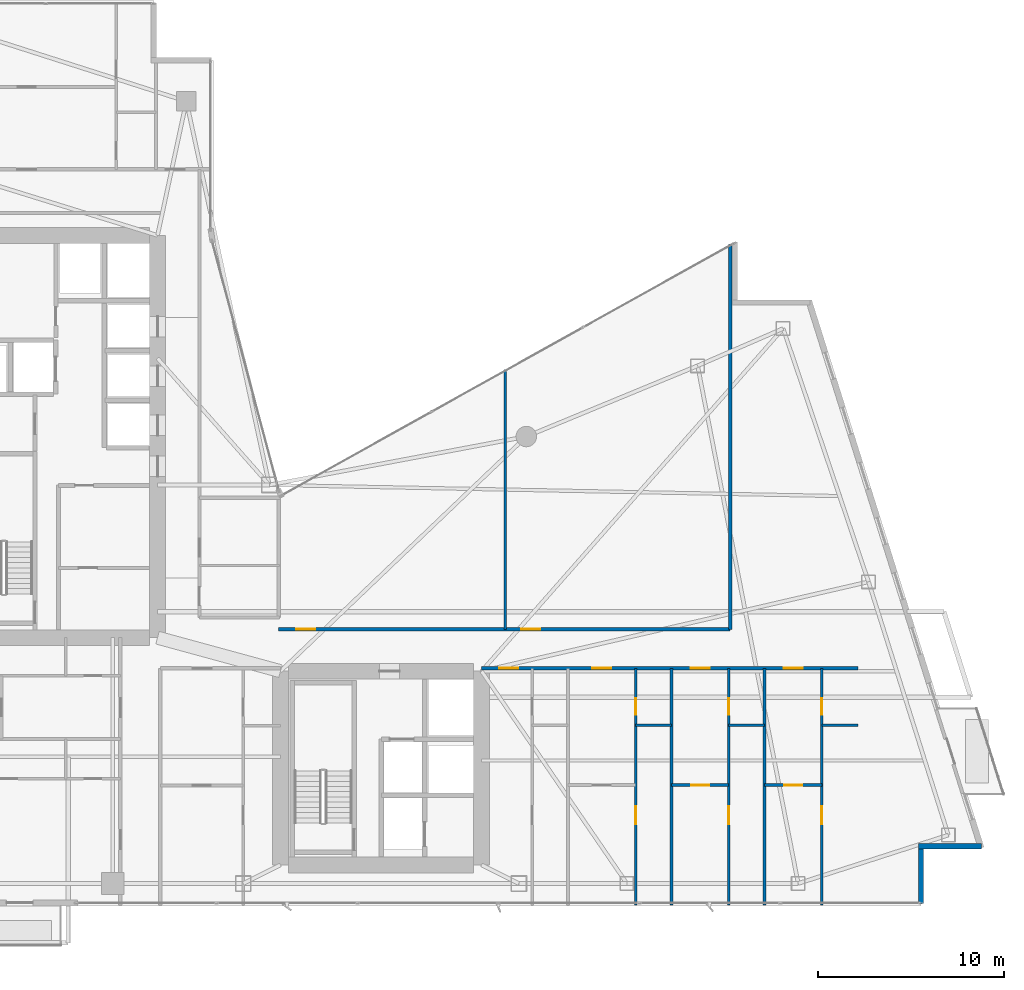
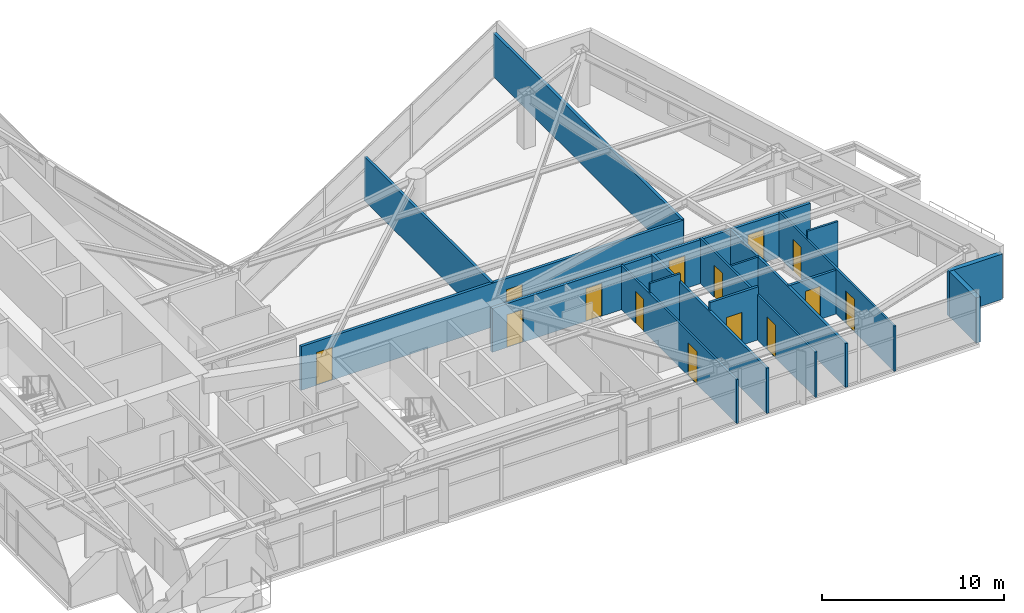
# One storey, part 24 of 29: 16 walls, 14 doors, 14 openings.
"""IFC4 building model written with IfcOpenShell, lengths in metres."""

from ifc_helpers import new_model, si_unit, direction, frame, frame_2d, origin, place, context, subcontext, project, spatial, rectangle, extrude, material, layer, layer_set, type_object, element, fill, save


model = new_model("IFC4")

# Units and contexts
model_context = context("Model", 3, precision=1e-05, world=origin(), true_north=direction((0.0, 1.0)))
body_context = subcontext(model_context, "Body", "Model", "MODEL_VIEW")
ifc_project = project(units=[si_unit("LENGTHUNIT", "METRE"), si_unit("AREAUNIT", "SQUARE_METRE"), si_unit("VOLUMEUNIT", "CUBIC_METRE"), si_unit("PLANEANGLEUNIT", "RADIAN"), si_unit("MASSUNIT", "GRAM", prefix="KILO")], contexts=[model_context])

# Site, building, storey
site_placement = place(None, origin())
site = spatial("IfcSite", under=ifc_project, at=site_placement, CompositionType="ELEMENT")
building_placement = place(site_placement, origin())
building = spatial("IfcBuilding", under=site, at=building_placement, Name="Calvorn Quay Hotel", CompositionType="ELEMENT")
storey_placement = place(building_placement, frame((0.0, 0.0, 171.300048828125)))
storey = spatial("IfcBuildingStorey", under=building, at=storey_placement, Name="L42", CompositionType="ELEMENT", Elevation=171.300048828125)

# Wall, openings, doors
ifc_material_1 = material(Name="Acoustic Fireboard Steel-Stud Partition", Category="steel")
ifc_layer_1 = layer(ifc_material_1, 0.179931640625)
ifc_layer_set_1 = layer_set([ifc_layer_1], Name="WL-CORR-FIRE-180")
wall_type_1 = type_object("IfcWallType", Name="WL-CORR-FIRE-180", PredefinedType="PARTITIONING", material=ifc_layer_set_1)
wall_1_placement = place(storey_placement, frame((32.39990234375, 15.14990234375, 0.0), z_axis=(0.0, 0.0, 1.0), x_axis=(1.0, 0.0, 0.0)))
wall_1 = element("IfcWall", 1, at=wall_1_placement, inside=storey, type_object=wall_type_1, Name="Partition Wall L42-WL-CORR-SE-S", PredefinedType="PARTITIONING", context=body_context, shape_type="SweptSolid", body=[
    extrude(rectangle(XDim=20.2001953125, YDim=0.179931640625, at=frame_2d((10.10009765625, 0.0))), origin(), (0.0, 0.0, 1.0), 2.93994140625),
])
opening_1_placement = place(wall_1_placement, frame((0.949951171875, 0.0, 0.0)))
opening_1 = element("IfcOpeningElement", 2, at=opening_1_placement, cuts=wall_1, Name="Opening D-L42-U05", PredefinedType="OPENING", context=body_context, shape_type="SweptSolid", body=[
    extrude(rectangle(XDim=1.02001953125, YDim=2.199951171875, at=frame_2d((0.510009765625, 1.10009765625))), frame((0.0, 0.099853515625, 0.0), z_axis=(0.0, -1.0, 0.0), x_axis=(1.0, 0.0, 0.0)), (0.0, 0.0, 1.0), 0.199951171875),
])
opening_2_placement = place(wall_1_placement, frame((5.949951171875, 0.0, 0.0)))
opening_2 = element("IfcOpeningElement", 3, at=opening_2_placement, cuts=wall_1, Name="Opening D-L42-U06", PredefinedType="OPENING", context=body_context, shape_type="SweptSolid", body=[
    extrude(rectangle(XDim=1.02001953125, YDim=2.199951171875, at=frame_2d((0.510009765625, 1.10009765625))), frame((0.0, 0.099853515625, 0.0), z_axis=(0.0, -1.0, 0.0), x_axis=(1.0, 0.0, 0.0)), (0.0, 0.0, 1.0), 0.199951171875),
])
opening_3_placement = place(wall_1_placement, frame((11.219970703125, 0.0, 0.0)))
opening_3 = element("IfcOpeningElement", 4, at=opening_3_placement, cuts=wall_1, Name="Opening D-L42-U07", PredefinedType="OPENING", context=body_context, shape_type="SweptSolid", body=[
    extrude(rectangle(XDim=1.02001953125, YDim=2.199951171875, at=frame_2d((0.510009765625, 1.10009765625))), frame((0.0, 0.099853515625, 0.0), z_axis=(0.0, -1.0, 0.0), x_axis=(1.0, 0.0, 0.0)), (0.0, 0.0, 1.0), 0.199951171875),
])
opening_4_placement = place(wall_1_placement, frame((16.219970703125, 0.0, 0.0)))
opening_4 = element("IfcOpeningElement", 5, at=opening_4_placement, cuts=wall_1, Name="Opening D-L42-U08", PredefinedType="OPENING", context=body_context, shape_type="SweptSolid", body=[
    extrude(rectangle(XDim=1.02001953125, YDim=2.199951171875, at=frame_2d((0.510009765625, 1.10009765625))), frame((0.0, 0.099853515625, 0.0), z_axis=(0.0, -1.0, 0.0), x_axis=(1.0, 0.0, 0.0)), (0.0, 0.0, 1.0), 0.199951171875),
])
ifc_material_2 = material(Name="Solid-Core Walnut Veneer Hotel Fire Door")
door_type_1 = type_object("IfcDoorType", Name="DR-GUEST-ENTRY-1020", OperationType="NOTDEFINED", PredefinedType="DOOR", material=ifc_material_2)
door_1_placement = place(opening_1_placement, origin())
door_1 = element("IfcDoor", 6, at=door_1_placement, inside=storey, type_object=door_type_1, Name="South-East Unit Door U05 (L42)", OperationType="SINGLE_SWING_LEFT", OverallHeight=2.199951171875, OverallWidth=1.02001953125, PredefinedType="DOOR", context=body_context, shape_type="SweptSolid", body=[
    extrude(rectangle(XDim=1.02001953125, YDim=2.199951171875, at=frame_2d((0.510009765625, 1.10009765625))), frame((0.0, 0.02490234375, 0.0), z_axis=(0.0, -1.0, 0.0), x_axis=(1.0, 0.0, 0.0)), (0.0, 0.0, 1.0), 0.050048828125),
])
fill(opening_1, door_1)
door_2_placement = place(opening_2_placement, origin())
door_2 = element("IfcDoor", 7, at=door_2_placement, inside=storey, type_object=door_type_1, Name="South-East Unit Door U06 (L42)", OperationType="SINGLE_SWING_RIGHT", OverallHeight=2.199951171875, OverallWidth=1.02001953125, PredefinedType="DOOR", context=body_context, shape_type="SweptSolid", body=[
    extrude(rectangle(XDim=1.02001953125, YDim=2.199951171875, at=frame_2d((0.510009765625, 1.10009765625))), frame((0.0, 0.02490234375, 0.0), z_axis=(0.0, -1.0, 0.0), x_axis=(1.0, 0.0, 0.0)), (0.0, 0.0, 1.0), 0.050048828125),
])
fill(opening_2, door_2)
door_3_placement = place(opening_3_placement, origin())
door_3 = element("IfcDoor", 8, at=door_3_placement, inside=storey, type_object=door_type_1, Name="South-East Unit Door U07 (L42)", OperationType="SINGLE_SWING_LEFT", OverallHeight=2.199951171875, OverallWidth=1.02001953125, PredefinedType="DOOR", context=body_context, shape_type="SweptSolid", body=[
    extrude(rectangle(XDim=1.02001953125, YDim=2.199951171875, at=frame_2d((0.510009765625, 1.10009765625))), frame((0.0, 0.02490234375, 0.0), z_axis=(0.0, -1.0, 0.0), x_axis=(1.0, 0.0, 0.0)), (0.0, 0.0, 1.0), 0.050048828125),
])
fill(opening_3, door_3)
door_4_placement = place(opening_4_placement, origin())
door_4 = element("IfcDoor", 9, at=door_4_placement, inside=storey, type_object=door_type_1, Name="South-East Unit Door U08 (L42)", OperationType="SINGLE_SWING_RIGHT", OverallHeight=2.199951171875, OverallWidth=1.02001953125, PredefinedType="DOOR", context=body_context, shape_type="SweptSolid", body=[
    extrude(rectangle(XDim=1.02001953125, YDim=2.199951171875, at=frame_2d((0.510009765625, 1.10009765625))), frame((0.0, 0.02490234375, 0.0), z_axis=(0.0, -1.0, 0.0), x_axis=(1.0, 0.0, 0.0)), (0.0, 0.0, 1.0), 0.050048828125),
])
fill(opening_4, door_4)

wall_2_placement = place(storey_placement, frame((21.5, 17.25, 0.0), z_axis=(0.0, 0.0, 1.0), x_axis=(1.0, 0.0, 0.0)))
wall_2 = element("IfcWall", 10, at=wall_2_placement, inside=storey, type_object=wall_type_1, Name="Partition Wall L42-WL-CORR-NE-N", PredefinedType="PARTITIONING", context=body_context, shape_type="SweptSolid", body=[
    extrude(rectangle(XDim=24.25, YDim=0.179931640625, at=frame_2d((12.125, 0.0))), origin(), (0.0, 0.0, 1.0), 2.93994140625),
])
opening_5_placement = place(wall_2_placement, frame((0.949951171875, 0.0, 0.0)))
opening_5 = element("IfcOpeningElement", 11, at=opening_5_placement, cuts=wall_2, Name="Opening D-L42-NS1", PredefinedType="OPENING", context=body_context, shape_type="SweptSolid", body=[
    extrude(rectangle(XDim=1.02001953125, YDim=2.199951171875, at=frame_2d((0.510009765625, 1.10009765625))), frame((0.0, 0.099853515625, 0.0), z_axis=(0.0, -1.0, 0.0), x_axis=(1.0, 0.0, 0.0)), (0.0, 0.0, 1.0), 0.199951171875),
])
opening_6_placement = place(wall_2_placement, frame((13.02001953125, 0.0, 0.0)))
opening_6 = element("IfcOpeningElement", 12, at=opening_6_placement, cuts=wall_2, Name="Opening D-L42-NS2", PredefinedType="OPENING", context=body_context, shape_type="SweptSolid", body=[
    extrude(rectangle(XDim=1.02001953125, YDim=2.199951171875, at=frame_2d((0.510009765625, 1.10009765625))), frame((0.0, 0.099853515625, 0.0), z_axis=(0.0, -1.0, 0.0), x_axis=(1.0, 0.0, 0.0)), (0.0, 0.0, 1.0), 0.199951171875),
])
door_5_placement = place(opening_5_placement, origin())
door_5 = element("IfcDoor", 13, at=door_5_placement, inside=storey, type_object=door_type_1, Name="Conservatory Salon Door 1 (L42)", OperationType="SINGLE_SWING_RIGHT", OverallHeight=2.199951171875, OverallWidth=1.02001953125, PredefinedType="DOOR", context=body_context, shape_type="SweptSolid", body=[
    extrude(rectangle(XDim=1.02001953125, YDim=2.199951171875, at=frame_2d((0.510009765625, 1.10009765625))), frame((0.0, 0.02490234375, 0.0), z_axis=(0.0, -1.0, 0.0), x_axis=(1.0, 0.0, 0.0)), (0.0, 0.0, 1.0), 0.050048828125),
])
fill(opening_5, door_5)
door_6_placement = place(opening_6_placement, origin())
door_6 = element("IfcDoor", 14, at=door_6_placement, inside=storey, type_object=door_type_1, Name="Conservatory Salon Door 2 (L42)", OperationType="SINGLE_SWING_LEFT", OverallHeight=2.199951171875, OverallWidth=1.02001953125, PredefinedType="DOOR", context=body_context, shape_type="SweptSolid", body=[
    extrude(rectangle(XDim=1.02001953125, YDim=2.199951171875, at=frame_2d((0.510009765625, 1.10009765625))), frame((0.0, 0.02490234375, 0.0), z_axis=(0.0, -1.0, 0.0), x_axis=(1.0, 0.0, 0.0)), (0.0, 0.0, 1.0), 0.050048828125),
])
fill(opening_6, door_6)

# Walls
wall_3_placement = place(storey_placement, frame((45.75, 17.25, 0.0), z_axis=(0.0, 0.0, 1.0), x_axis=(0.0, 1.0, 0.0)))
element("IfcWall", 15, at=wall_3_placement, inside=storey, type_object=wall_type_1, Name="Partition Wall L42-WL-NE-END-E", PredefinedType="PARTITIONING", context=body_context, shape_type="SweptSolid", body=[
    extrude(rectangle(XDim=20.68994140625, YDim=0.179931640625, at=frame_2d((10.344970703125, 0.0))), origin(), (0.0, 0.0, 1.0), 2.93994140625),
])
ifc_material_3 = material(Name="Moisture-Resistant Tile-Backed Partition")
ifc_layer_2 = layer(ifc_material_3, 0.125)
ifc_layer_set_2 = layer_set([ifc_layer_2], Name="WL-ENSUITE-125")
wall_type_2 = type_object("IfcWallType", Name="WL-ENSUITE-125", PredefinedType="PARTITIONING", material=ifc_layer_set_2)
wall_4_placement = place(storey_placement, frame((40.669921875, 12.10009765625, 0.0), z_axis=(0.0, 0.0, 1.0), x_axis=(1.0, 0.0, 0.0)))
element("IfcWall", 16, at=wall_4_placement, inside=storey, type_object=wall_type_2, Name="Partition Wall L42-WL-U06-BDV", PredefinedType="PARTITIONING", context=body_context, shape_type="SweptSolid", body=[
    extrude(rectangle(XDim=1.93017578125, YDim=0.125, at=frame_2d((0.965087890625, 0.0))), origin(), (0.0, 0.0, 1.0), 3.56005859375),
])

# Wall, openings, doors
wall_5_placement = place(storey_placement, frame((40.669921875, 2.43994140625, 0.0), z_axis=(0.0, 0.0, 1.0), x_axis=(0.0, 1.0, 0.0)))
wall_5 = element("IfcWall", 17, at=wall_5_placement, inside=storey, type_object=wall_type_2, Name="Partition Wall L42-WL-U06-BV", PredefinedType="PARTITIONING", context=body_context, shape_type="SweptSolid", body=[
    extrude(rectangle(XDim=12.7099609375, YDim=0.125, at=frame_2d((6.35498046875, 0.0))), origin(), (0.0, 0.0, 1.0), 2.93994140625),
])
opening_7_placement = place(wall_5_placement, frame((4.35009765625, 0.0, 0.0)))
opening_7 = element("IfcOpeningElement", 18, at=opening_7_placement, cuts=wall_5, Name="Opening D-L42-S06", PredefinedType="OPENING", context=body_context, shape_type="SweptSolid", body=[
    extrude(rectangle(XDim=0.9599609375, YDim=2.199951171875, at=frame_2d((0.47998046875, 1.10009765625))), frame((0.0, 0.072509765625, 0.0), z_axis=(0.0, -1.0, 0.0), x_axis=(1.0, 0.0, 0.0)), (0.0, 0.0, 1.0), 0.14501953125),
])
opening_8_placement = place(wall_5_placement, frame((10.2099609375, 0.0, 0.0)))
opening_8 = element("IfcOpeningElement", 19, at=opening_8_placement, cuts=wall_5, Name="Opening D-L42-E06", PredefinedType="OPENING", context=body_context, shape_type="SweptSolid", body=[
    extrude(rectangle(XDim=0.89990234375, YDim=2.14990234375, at=frame_2d((0.449951171875, 1.074951171875))), frame((0.0, 0.072509765625, 0.0), z_axis=(0.0, -1.0, 0.0), x_axis=(1.0, 0.0, 0.0)), (0.0, 0.0, 1.0), 0.14501953125),
])
ifc_material_4 = material(Name="Moisture-Sealed Timber En-Suite Door", Category="wood")
door_type_2 = type_object("IfcDoorType", Name="DR-ENSUITE-900", OperationType="NOTDEFINED", PredefinedType="DOOR", material=ifc_material_4)
door_7_placement = place(opening_8_placement, origin())
door_7 = element("IfcDoor", 20, at=door_7_placement, inside=storey, type_object=door_type_2, Name="En-Suite Door 06", OperationType="SINGLE_SWING_RIGHT", OverallHeight=2.14990234375, OverallWidth=0.89990234375, PredefinedType="DOOR", context=body_context, shape_type="SweptSolid", body=[
    extrude(rectangle(XDim=0.89990234375, YDim=2.14990234375, at=frame_2d((0.449951171875, 1.074951171875))), frame((0.0, 0.02490234375, 0.0), z_axis=(0.0, -1.0, 0.0), x_axis=(1.0, 0.0, 0.0)), (0.0, 0.0, 1.0), 0.050048828125),
])
fill(opening_8, door_7)
ifc_material_5 = material(Name="Solid Timber Internal Suite Door", Category="wood")
door_type_3 = type_object("IfcDoorType", Name="DR-SUITE-INT-960", OperationType="NOTDEFINED", PredefinedType="DOOR", material=ifc_material_5)
door_8_placement = place(opening_7_placement, origin())
door_8 = element("IfcDoor", 21, at=door_8_placement, inside=storey, type_object=door_type_3, Name="Private Media Cinema Door 06", OperationType="SINGLE_SWING_LEFT", OverallHeight=2.199951171875, OverallWidth=0.9599609375, PredefinedType="DOOR", context=body_context, shape_type="SweptSolid", body=[
    extrude(rectangle(XDim=0.9599609375, YDim=2.199951171875, at=frame_2d((0.47998046875, 1.10009765625))), frame((0.0, 0.02490234375, 0.0), z_axis=(0.0, -1.0, 0.0), x_axis=(1.0, 0.0, 0.0)), (0.0, 0.0, 1.0), 0.050048828125),
])
fill(opening_7, door_8)

# Wall
wall_6_placement = place(storey_placement, frame((45.669921875, 12.10009765625, 0.0), z_axis=(0.0, 0.0, 1.0), x_axis=(1.0, 0.0, 0.0)))
element("IfcWall", 22, at=wall_6_placement, inside=storey, type_object=wall_type_2, Name="Partition Wall L42-WL-U07-BDV", PredefinedType="PARTITIONING", context=body_context, shape_type="SweptSolid", body=[
    extrude(rectangle(XDim=1.93017578125, YDim=0.125, at=frame_2d((0.965087890625, 0.0))), origin(), (0.0, 0.0, 1.0), 2.93994140625),
])

# Wall, openings, doors
wall_7_placement = place(storey_placement, frame((45.669921875, 2.43994140625, 0.0), z_axis=(0.0, 0.0, 1.0), x_axis=(0.0, 1.0, 0.0)))
wall_7 = element("IfcWall", 23, at=wall_7_placement, inside=storey, type_object=wall_type_2, Name="Partition Wall L42-WL-U07-BV", PredefinedType="PARTITIONING", context=body_context, shape_type="SweptSolid", body=[
    extrude(rectangle(XDim=12.7099609375, YDim=0.125, at=frame_2d((6.35498046875, 0.0))), origin(), (0.0, 0.0, 1.0), 3.0400390625),
])
opening_9_placement = place(wall_7_placement, frame((4.35009765625, 0.0, 0.0)))
opening_9 = element("IfcOpeningElement", 24, at=opening_9_placement, cuts=wall_7, Name="Opening D-L42-S07", PredefinedType="OPENING", context=body_context, shape_type="SweptSolid", body=[
    extrude(rectangle(XDim=0.9599609375, YDim=2.199951171875, at=frame_2d((0.47998046875, 1.10009765625))), frame((0.0, 0.072509765625, 0.0), z_axis=(0.0, -1.0, 0.0), x_axis=(1.0, 0.0, 0.0)), (0.0, 0.0, 1.0), 0.14501953125),
])
opening_10_placement = place(wall_7_placement, frame((10.2099609375, 0.0, 0.0)))
opening_10 = element("IfcOpeningElement", 25, at=opening_10_placement, cuts=wall_7, Name="Opening D-L42-E07", PredefinedType="OPENING", context=body_context, shape_type="SweptSolid", body=[
    extrude(rectangle(XDim=0.89990234375, YDim=2.14990234375, at=frame_2d((0.449951171875, 1.074951171875))), frame((0.0, 0.072509765625, 0.0), z_axis=(0.0, -1.0, 0.0), x_axis=(1.0, 0.0, 0.0)), (0.0, 0.0, 1.0), 0.14501953125),
])
door_9_placement = place(opening_10_placement, origin())
door_9 = element("IfcDoor", 26, at=door_9_placement, inside=storey, type_object=door_type_2, Name="En-Suite Door 07", OperationType="SINGLE_SWING_RIGHT", OverallHeight=2.14990234375, OverallWidth=0.89990234375, PredefinedType="DOOR", context=body_context, shape_type="SweptSolid", body=[
    extrude(rectangle(XDim=0.89990234375, YDim=2.14990234375, at=frame_2d((0.449951171875, 1.074951171875))), frame((0.0, 0.02490234375, 0.0), z_axis=(0.0, -1.0, 0.0), x_axis=(1.0, 0.0, 0.0)), (0.0, 0.0, 1.0), 0.050048828125),
])
fill(opening_10, door_9)
door_10_placement = place(opening_9_placement, origin())
door_10 = element("IfcDoor", 27, at=door_10_placement, inside=storey, type_object=door_type_3, Name="Private Media Cinema Door 07", OperationType="SINGLE_SWING_LEFT", OverallHeight=2.199951171875, OverallWidth=0.9599609375, PredefinedType="DOOR", context=body_context, shape_type="SweptSolid", body=[
    extrude(rectangle(XDim=0.9599609375, YDim=2.199951171875, at=frame_2d((0.47998046875, 1.10009765625))), frame((0.0, 0.02490234375, 0.0), z_axis=(0.0, -1.0, 0.0), x_axis=(1.0, 0.0, 0.0)), (0.0, 0.0, 1.0), 0.050048828125),
])
fill(opening_9, door_10)

# Wall
wall_8_placement = place(storey_placement, frame((50.669921875, 12.10009765625, 0.0), z_axis=(0.0, 0.0, 1.0), x_axis=(1.0, 0.0, 0.0)))
element("IfcWall", 28, at=wall_8_placement, inside=storey, type_object=wall_type_2, Name="Partition Wall L42-WL-U08-BDV", PredefinedType="PARTITIONING", context=body_context, shape_type="SweptSolid", body=[
    extrude(rectangle(XDim=1.93017578125, YDim=0.125, at=frame_2d((0.965087890625, 0.0))), origin(), (0.0, 0.0, 1.0), 3.56005859375),
])

# Wall, openings, doors
wall_9_placement = place(storey_placement, frame((50.669921875, 2.43994140625, 0.0), z_axis=(0.0, 0.0, 1.0), x_axis=(0.0, 1.0, 0.0)))
wall_9 = element("IfcWall", 29, at=wall_9_placement, inside=storey, type_object=wall_type_2, Name="Partition Wall L42-WL-U08-BV", PredefinedType="PARTITIONING", context=body_context, shape_type="SweptSolid", body=[
    extrude(rectangle(XDim=12.7099609375, YDim=0.125, at=frame_2d((6.35498046875, 0.0))), origin(), (0.0, 0.0, 1.0), 3.0400390625),
])
opening_11_placement = place(wall_9_placement, frame((4.35009765625, 0.0, 0.0)))
opening_11 = element("IfcOpeningElement", 30, at=opening_11_placement, cuts=wall_9, Name="Opening D-L42-S08", PredefinedType="OPENING", context=body_context, shape_type="SweptSolid", body=[
    extrude(rectangle(XDim=0.9599609375, YDim=2.199951171875, at=frame_2d((0.47998046875, 1.10009765625))), frame((0.0, 0.072509765625, 0.0), z_axis=(0.0, -1.0, 0.0), x_axis=(1.0, 0.0, 0.0)), (0.0, 0.0, 1.0), 0.14501953125),
])
opening_12_placement = place(wall_9_placement, frame((10.2099609375, 0.0, 0.0)))
opening_12 = element("IfcOpeningElement", 31, at=opening_12_placement, cuts=wall_9, Name="Opening D-L42-E08", PredefinedType="OPENING", context=body_context, shape_type="SweptSolid", body=[
    extrude(rectangle(XDim=0.89990234375, YDim=2.14990234375, at=frame_2d((0.449951171875, 1.074951171875))), frame((0.0, 0.072509765625, 0.0), z_axis=(0.0, -1.0, 0.0), x_axis=(1.0, 0.0, 0.0)), (0.0, 0.0, 1.0), 0.14501953125),
])
door_11_placement = place(opening_12_placement, origin())
door_11 = element("IfcDoor", 32, at=door_11_placement, inside=storey, type_object=door_type_2, Name="En-Suite Door 08", OperationType="SINGLE_SWING_RIGHT", OverallHeight=2.14990234375, OverallWidth=0.89990234375, PredefinedType="DOOR", context=body_context, shape_type="SweptSolid", body=[
    extrude(rectangle(XDim=0.89990234375, YDim=2.14990234375, at=frame_2d((0.449951171875, 1.074951171875))), frame((0.0, 0.02490234375, 0.0), z_axis=(0.0, -1.0, 0.0), x_axis=(1.0, 0.0, 0.0)), (0.0, 0.0, 1.0), 0.050048828125),
])
fill(opening_12, door_11)
door_12_placement = place(opening_11_placement, origin())
door_12 = element("IfcDoor", 33, at=door_12_placement, inside=storey, type_object=door_type_3, Name="Private Media Cinema Door 08", OperationType="SINGLE_SWING_LEFT", OverallHeight=2.199951171875, OverallWidth=0.9599609375, PredefinedType="DOOR", context=body_context, shape_type="SweptSolid", body=[
    extrude(rectangle(XDim=0.9599609375, YDim=2.199951171875, at=frame_2d((0.47998046875, 1.10009765625))), frame((0.0, 0.02490234375, 0.0), z_axis=(0.0, -1.0, 0.0), x_axis=(1.0, 0.0, 0.0)), (0.0, 0.0, 1.0), 0.050048828125),
])
fill(opening_11, door_12)

# Walls
ifc_material_6 = material(Name="Concrete C40", Category="concrete")
ifc_layer_3 = layer(ifc_material_6, 0.320068359375)
ifc_layer_set_3 = layer_set([ifc_layer_3], Name="WL-EXT-SPANDREL-320")
wall_type_3 = type_object("IfcWallType", Name="WL-EXT-SPANDREL-320", PredefinedType="SOLIDWALL", material=ifc_layer_set_3)
wall_10_placement = place(storey_placement, frame((56.0, 2.52001953125, 0.0), z_axis=(0.0, 0.0, 1.0), x_axis=(0.0, 1.0, 0.0)))
element("IfcWall", 34, at=wall_10_placement, inside=storey, type_object=wall_type_3, Name="Notched Corner Spandrel L42-SE1", PredefinedType="SOLIDWALL", context=body_context, shape_type="SweptSolid", body=[
    extrude(rectangle(XDim=2.93994140625, YDim=0.280029296875, at=frame_2d((1.469970703125, 0.0))), origin(), (0.0, 0.0, 1.0), 3.0400390625),
])
wall_11_placement = place(storey_placement, frame((55.860107421875, 5.60009765625, 0.0), z_axis=(0.0, 0.0, 1.0), x_axis=(1.0, 0.0, 0.0)))
element("IfcWall", 35, at=wall_11_placement, inside=storey, type_object=wall_type_3, Name="Notched Corner Spandrel L42-SE2", PredefinedType="SOLIDWALL", context=body_context, shape_type="SweptSolid", body=[
    extrude(rectangle(XDim=3.3798828125, YDim=0.280029296875, at=frame_2d((1.68994140625, 0.0))), origin(), (0.0, 0.0, 1.0), 3.0400390625),
])

# Wall, opening, door
ifc_material_7 = material(Name="Double-Stud Acoustic Gypsum Partition")
ifc_layer_4 = layer(ifc_material_7, 0.159912109375)
ifc_layer_set_4 = layer_set([ifc_layer_4], Name="WL-INTERSUITE-160")
wall_type_4 = type_object("IfcWallType", Name="WL-INTERSUITE-160", PredefinedType="PARTITIONING", material=ifc_layer_set_4)
wall_12_placement = place(storey_placement, frame((42.60009765625, 8.8798828125, 0.0), z_axis=(0.0, 0.0, 1.0), x_axis=(1.0, 0.0, 0.0)))
wall_12 = element("IfcWall", 36, at=wall_12_placement, inside=storey, type_object=wall_type_4, Name="Partition Wall L42-WL-U07-MSP", PredefinedType="PARTITIONING", context=body_context, shape_type="SweptSolid", body=[
    extrude(rectangle(XDim=3.06982421875, YDim=0.159912109375, at=frame_2d((1.534912109375, 0.0))), origin(), (0.0, 0.0, 1.0), 3.56005859375),
])
opening_13_placement = place(wall_12_placement, frame((1.06005859375, 0.0, 0.0)))
opening_13 = element("IfcOpeningElement", 37, at=opening_13_placement, cuts=wall_12, Name="Opening D-L42-M07", PredefinedType="OPENING", context=body_context, shape_type="SweptSolid", body=[
    extrude(rectangle(XDim=0.9599609375, YDim=2.199951171875, at=frame_2d((0.47998046875, 1.10009765625))), frame((0.0, 0.08984375, 0.0), z_axis=(0.0, -1.0, 0.0), x_axis=(1.0, 0.0, 0.0)), (0.0, 0.0, 1.0), 0.179931640625),
])
door_13_placement = place(opening_13_placement, origin())
door_13 = element("IfcDoor", 38, at=door_13_placement, inside=storey, type_object=door_type_3, Name="Suite Bedroom Door 07", OperationType="SINGLE_SWING_LEFT", OverallHeight=2.199951171875, OverallWidth=0.9599609375, PredefinedType="DOOR", context=body_context, shape_type="SweptSolid", body=[
    extrude(rectangle(XDim=0.9599609375, YDim=2.199951171875, at=frame_2d((0.47998046875, 1.10009765625))), frame((0.0, 0.02490234375, 0.0), z_axis=(0.0, -1.0, 0.0), x_axis=(1.0, 0.0, 0.0)), (0.0, 0.0, 1.0), 0.050048828125),
])
fill(opening_13, door_13)

# Wall
wall_13_placement = place(storey_placement, frame((42.60009765625, 2.43994140625, 0.0), z_axis=(0.0, 0.0, 1.0), x_axis=(0.0, 1.0, 0.0)))
element("IfcWall", 39, at=wall_13_placement, inside=storey, type_object=wall_type_4, Name="Partition Wall L42-WL-SE-DIV-2", PredefinedType="PARTITIONING", context=body_context, shape_type="SweptSolid", body=[
    extrude(rectangle(XDim=12.7099609375, YDim=0.159912109375, at=frame_2d((6.35498046875, 0.0))), origin(), (0.0, 0.0, 1.0), 3.0400390625),
])

# Wall, opening, door
wall_14_placement = place(storey_placement, frame((47.60009765625, 8.8798828125, 0.0), z_axis=(0.0, 0.0, 1.0), x_axis=(1.0, 0.0, 0.0)))
wall_14 = element("IfcWall", 40, at=wall_14_placement, inside=storey, type_object=wall_type_4, Name="Partition Wall L42-WL-U08-MSP", PredefinedType="PARTITIONING", context=body_context, shape_type="SweptSolid", body=[
    extrude(rectangle(XDim=3.06982421875, YDim=0.159912109375, at=frame_2d((1.534912109375, 0.0))), origin(), (0.0, 0.0, 1.0), 2.93994140625),
])
opening_14_placement = place(wall_14_placement, frame((1.06005859375, 0.0, 0.0)))
opening_14 = element("IfcOpeningElement", 41, at=opening_14_placement, cuts=wall_14, Name="Opening D-L42-M08", PredefinedType="OPENING", context=body_context, shape_type="SweptSolid", body=[
    extrude(rectangle(XDim=0.9599609375, YDim=2.199951171875, at=frame_2d((0.47998046875, 1.10009765625))), frame((0.0, 0.08984375, 0.0), z_axis=(0.0, -1.0, 0.0), x_axis=(1.0, 0.0, 0.0)), (0.0, 0.0, 1.0), 0.179931640625),
])
door_14_placement = place(opening_14_placement, origin())
door_14 = element("IfcDoor", 42, at=door_14_placement, inside=storey, type_object=door_type_3, Name="Suite Bedroom Door 08", OperationType="SINGLE_SWING_LEFT", OverallHeight=2.199951171875, OverallWidth=0.9599609375, PredefinedType="DOOR", context=body_context, shape_type="SweptSolid", body=[
    extrude(rectangle(XDim=0.9599609375, YDim=2.199951171875, at=frame_2d((0.47998046875, 1.10009765625))), frame((0.0, 0.02490234375, 0.0), z_axis=(0.0, -1.0, 0.0), x_axis=(1.0, 0.0, 0.0)), (0.0, 0.0, 1.0), 0.050048828125),
])
fill(opening_14, door_14)

# Walls
wall_15_placement = place(storey_placement, frame((47.60009765625, 2.43994140625, 0.0), z_axis=(0.0, 0.0, 1.0), x_axis=(0.0, 1.0, 0.0)))
element("IfcWall", 43, at=wall_15_placement, inside=storey, type_object=wall_type_4, Name="Partition Wall L42-WL-SE-DIV-3", PredefinedType="PARTITIONING", context=body_context, shape_type="SweptSolid", body=[
    extrude(rectangle(XDim=12.7099609375, YDim=0.159912109375, at=frame_2d((6.35498046875, 0.0))), origin(), (0.0, 0.0, 1.0), 2.93994140625),
])
wall_16_placement = place(storey_placement, frame((33.669921875, 17.25, 0.0), z_axis=(0.0, 0.0, 1.0), x_axis=(0.0, 1.0, 0.0)))
element("IfcWall", 44, at=wall_16_placement, inside=storey, type_object=wall_type_4, Name="Partition Wall L42-WL-NE-DIV-1", PredefinedType="PARTITIONING", context=body_context, shape_type="SweptSolid", body=[
    extrude(rectangle(XDim=13.9599609375, YDim=0.159912109375, at=frame_2d((6.97998046875, 0.0))), origin(), (0.0, 0.0, 1.0), 2.93994140625),
])

save(model, "model.ifc")
